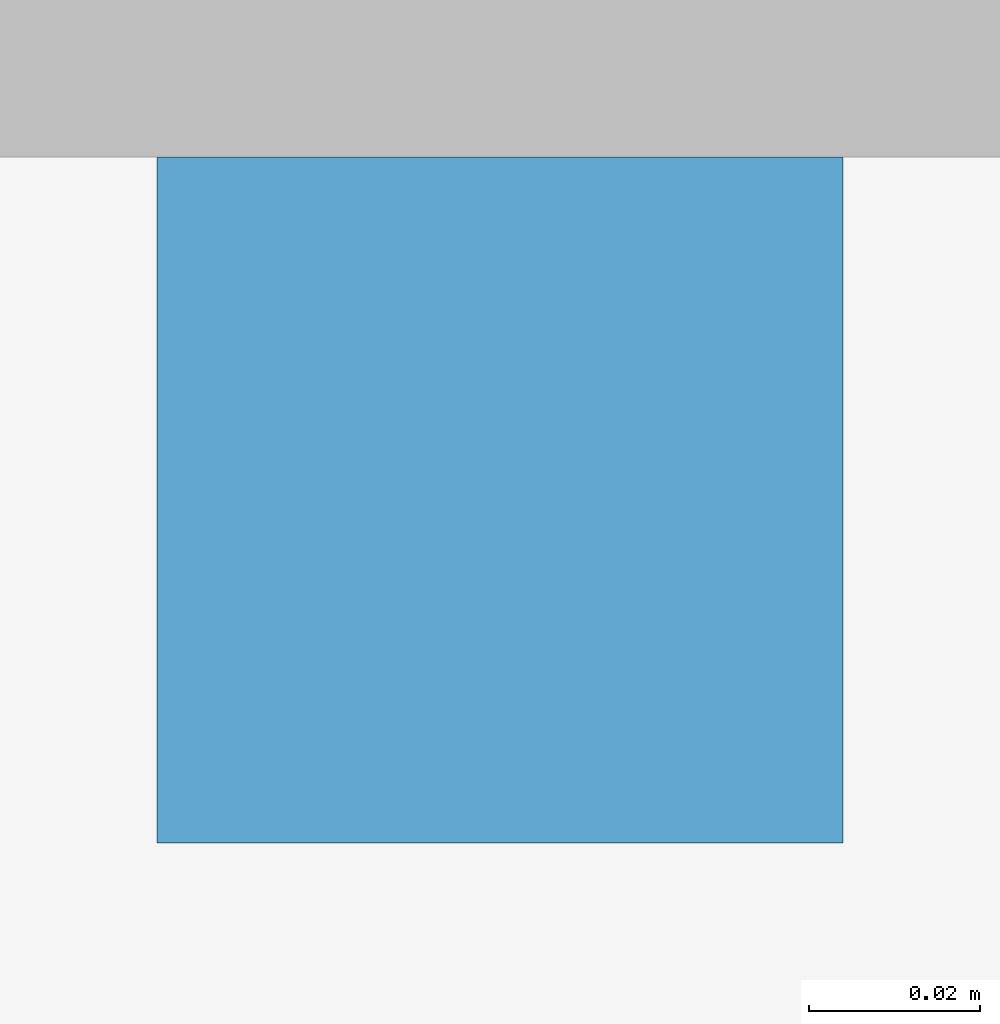
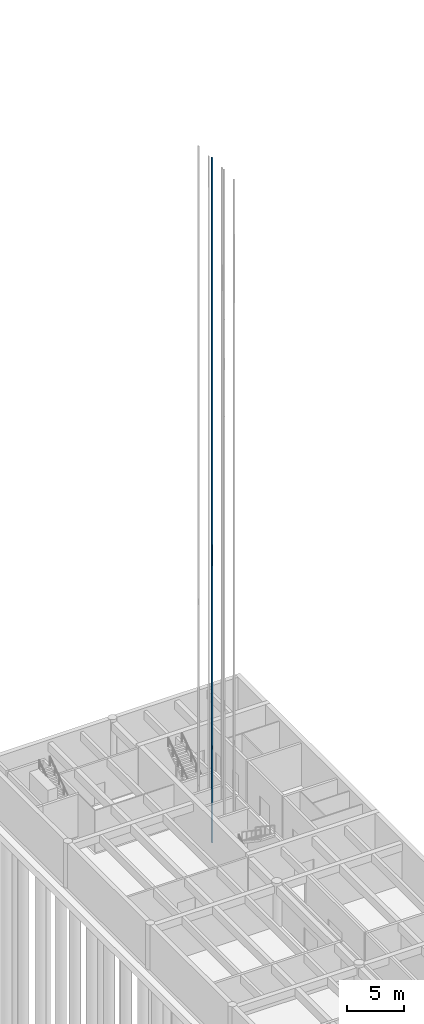
# One storey, part 13 of 24: 1 building element part.
"""IFC4 building model written with IfcOpenShell, lengths in metres."""

import ifcopenshell
import ifcopenshell.guid

model = None  # the IFC model being written
_history = None  # IfcOwnerHistory: only IFC2X3 demands one
_inside = {}  # id of a spatial element -> (the spatial element, [elements in it])
_under = {}  # id of a project, library or spatial element -> (it, [spatial elements below it])
_declared = {}  # id of a project -> (the project, [libraries it declares])
_typed = {}  # id of a type object -> (the type object, [elements of that type])
_made_of = {}  # id of a material, layer set ... -> (it, [elements and type objects made of it])


def new_model(schema):
    """Start an empty IFC model of exactly this schema.

    Asked for "IFC4X3", IfcOpenShell would pick the latest addendum, in which some entities
    have other attributes; the version numbers below select the first issue.
    IFC2X3 requires an IfcOwnerHistory on every rooted entity: one is made here for all.
    """
    global model, _history
    if schema == "IFC4X3":
        model = ifcopenshell.file(schema_version=(4, 3, 0, 0))
    else:
        model = ifcopenshell.file(schema=schema)
    _inside.clear()
    _under.clear()
    _declared.clear()
    _typed.clear()
    _made_of.clear()
    _history = None
    if model.schema == "IFC2X3":
        org = make("IfcOrganization", Name="unknown")
        user = make(
            "IfcPersonAndOrganization",
            ThePerson=make("IfcPerson", FamilyName="unknown"),
            TheOrganization=org,
        )
        app = make(
            "IfcApplication",
            ApplicationDeveloper=org,
            Version="unknown",
            ApplicationFullName="unknown",
            ApplicationIdentifier="unknown",
        )
        _history = make(
            "IfcOwnerHistory",
            OwningUser=user,
            OwningApplication=app,
            ChangeAction="ADDED",
            CreationDate=0,
        )
    return model


def make(cls, **values):
    """One entity of the class cls with the attributes given. An attribute that is None is left unset."""
    return model.create_entity(
        cls, **{name: value for name, value in values.items() if value is not None}
    )


def rooted(cls, **values):
    """An entity with a GlobalId (a new one), such as an element, a storey or a relation."""
    return make(cls, GlobalId=ifcopenshell.guid.new(), OwnerHistory=_history, **values)


def si_unit(unit_type, name, prefix=None):
    """IfcSIUnit, for example si_unit("LENGTHUNIT", "METRE", prefix="MILLI")."""
    return make("IfcSIUnit", UnitType=unit_type, Prefix=prefix, Name=name)


def assignment(units):
    """IfcUnitAssignment: the units of a project."""
    return None if units is None else make("IfcUnitAssignment", Units=units)


def point(xyz):
    """IfcCartesianPoint."""
    return None if xyz is None else make("IfcCartesianPoint", Coordinates=xyz)


def direction(xyz):
    """IfcDirection."""
    return None if xyz is None else make("IfcDirection", DirectionRatios=xyz)


def frame(location, z_axis=None, x_axis=None):
    """IfcAxis2Placement3D, a coordinate frame: its origin and axes. An axis left out is left unset."""
    return make(
        "IfcAxis2Placement3D",
        Location=point(location),
        Axis=direction(z_axis),
        RefDirection=direction(x_axis),
    )


def frame_2d(location, x_axis=None):
    """IfcAxis2Placement2D, a coordinate frame in the plane: its origin and x axis."""
    return make(
        "IfcAxis2Placement2D", Location=point(location), RefDirection=direction(x_axis)
    )


def origin():
    """The frame at (0, 0, 0) with its axes left unset."""
    return frame((0.0, 0.0, 0.0))


def origin_2d():
    """The frame at (0, 0) in the plane with its x axis left unset."""
    return frame_2d((0.0, 0.0))


def place(relative_to, where):
    """IfcLocalPlacement: puts the frame where relative to a parent placement (None: the world)."""
    return make(
        "IfcLocalPlacement", PlacementRelTo=relative_to, RelativePlacement=where
    )


def context(
    kind, dimensions, precision=None, world=None, true_north=None, identifier=None
):
    """IfcGeometricRepresentationContext, for example the 3D "Model" context."""
    return make(
        "IfcGeometricRepresentationContext",
        ContextIdentifier=identifier,
        ContextType=kind,
        CoordinateSpaceDimension=dimensions,
        Precision=precision,
        WorldCoordinateSystem=world,
        TrueNorth=true_north,
    )


def subcontext(parent, identifier, kind, view, scale=None):
    """IfcGeometricRepresentationSubContext, for example "Body" below "Model"."""
    return make(
        "IfcGeometricRepresentationSubContext",
        ContextIdentifier=identifier,
        ContextType=kind,
        ParentContext=parent,
        TargetScale=scale,
        TargetView=view,
    )


def project(units=None, contexts=None):
    """IfcProject with its units and contexts."""
    return rooted(
        "IfcProject",
        Name="project",
        RepresentationContexts=contexts,
        UnitsInContext=assignment(units),
    )


def spatial(cls, under=None, at=None, **own):
    """A site, building, storey or space (cls), placed at a placement, below another one or the project."""
    s = rooted(cls, ObjectPlacement=at, **own)
    if under is not None:
        _under.setdefault(under.id(), (under, []))[1].append(s)
    return s


def profile(cls, at=None, kind="AREA", **sizes):
    """A parametric profile (cls). Its sizes go by their IFC names, for example OverallWidth=200.0."""
    return make(cls, ProfileType=kind, Position=at, **sizes)


def rectangle(**sizes):
    """IfcRectangleProfileDef."""
    return profile("IfcRectangleProfileDef", **sizes)


def extrude(swept, where, along, depth):
    """IfcExtrudedAreaSolid: the profile swept, set in the frame where, extruded along a direction by depth."""
    return make(
        "IfcExtrudedAreaSolid",
        SweptArea=swept,
        Position=where,
        ExtrudedDirection=direction(along),
        Depth=depth,
    )


def shape(context_of_items, identifier, shape_type, items):
    """IfcShapeRepresentation: the items that make up one representation, for example the "Body"."""
    return make(
        "IfcShapeRepresentation",
        ContextOfItems=context_of_items,
        RepresentationIdentifier=identifier,
        RepresentationType=shape_type,
        Items=items,
    )


def made_of(thing, what):
    """Note that an element or type object is made of a material, layer set ...; save() writes the relation."""
    if what is not None:
        _made_of.setdefault(what.id(), (what, []))[1].append(thing)
    return thing


def element(
    cls,
    number,
    at=None,
    inside=None,
    cuts=None,
    type_object=None,
    material=None,
    context=None,
    identifier="Body",
    shape_type=None,
    held_by="IfcProductDefinitionShape",
    body=None,
    shapes=None,
    **own,
):
    """One element of the class cls, such as IfcWall. Its Tag is "e" and its number.

    at: its placement. inside: the storey or other place that contains it. cuts: it is an
    opening in that element (IfcRelVoidsElement). A single representation is given by context,
    identifier, shape_type and body (its items); several are given by shapes. held_by: the class
    of the entity that holds the representations. save() writes the other relations.
    """
    e = rooted(cls, Tag="e%d" % number, ObjectPlacement=at, **own)
    if body is not None:
        shapes = [shape(context, identifier, shape_type, body)]
    if shapes is not None:
        e.Representation = make(held_by, Representations=shapes)
    if inside is not None:
        _inside.setdefault(inside.id(), (inside, []))[1].append(e)
    if cuts is not None:
        rooted(
            "IfcRelVoidsElement", RelatingBuildingElement=cuts, RelatedOpeningElement=e
        )
    if type_object is not None:
        _typed.setdefault(type_object.id(), (type_object, []))[1].append(e)
    return made_of(e, material)


def aggregate(whole, parts):
    """IfcRelAggregates: a whole, such as a stair, and the parts it consists of."""
    return rooted("IfcRelAggregates", RelatingObject=whole, RelatedObjects=parts)


def save(model, path):
    """Write the relations noted so far, then the file.

    IfcRelAggregates (storeys below a building ...), IfcRelContainedInSpatialStructure (elements
    in a storey), IfcRelDefinesByType, IfcRelAssociatesMaterial and IfcRelDeclares: one each for
    every whole, place, type object, material and project.
    """
    for whole, parts in _under.values():
        aggregate(whole, parts)
    for where, things in _inside.values():
        rooted(
            "IfcRelContainedInSpatialStructure",
            RelatedElements=things,
            RelatingStructure=where,
        )
    for kind, things in _typed.values():
        rooted("IfcRelDefinesByType", RelatedObjects=things, RelatingType=kind)
    for what, things in _made_of.values():
        rooted("IfcRelAssociatesMaterial", RelatedObjects=things, RelatingMaterial=what)
    for by, libraries in _declared.values():
        rooted("IfcRelDeclares", RelatingContext=by, RelatedDefinitions=libraries)
    model.write(path)


model = new_model("IFC4")

# Units and contexts
model_context = context("Model", 3, precision=1e-05, world=origin(), true_north=direction((0.0, 1.0)))
body_context = subcontext(model_context, "Body", "Model", "MODEL_VIEW")
ifc_project = project(units=[si_unit("LENGTHUNIT", "METRE"), si_unit("AREAUNIT", "SQUARE_METRE"), si_unit("VOLUMEUNIT", "CUBIC_METRE"), si_unit("PLANEANGLEUNIT", "RADIAN"), si_unit("MASSUNIT", "GRAM", prefix="KILO")], contexts=[model_context])

# Site, building, storey
site_placement = place(None, origin())
site = spatial("IfcSite", under=ifc_project, at=site_placement, CompositionType="ELEMENT")
building_placement = place(site_placement, origin())
building = spatial("IfcBuilding", under=site, at=building_placement, Name="Fogon Plaza Fire Station and Headquarters Tower", CompositionType="ELEMENT")
storey_placement = place(building_placement, frame((0.0, 0.0, -4.800048828125)))
storey = spatial("IfcBuildingStorey", under=building, at=storey_placement, Name="B1", CompositionType="ELEMENT", Elevation=-4.800048828125)

# Building element part
building_element_part_placement = place(storey_placement, frame((15.074951171875, 44.0849609375, -1.19970703125), z_axis=(0.0, 0.0, 1.0), x_axis=(1.0, 0.0, 0.0)))
element("IfcBuildingElementPart", 1, at=building_element_part_placement, inside=storey, Name="Guide rail LP2 2", ObjectType="Guide rail", PredefinedType="USERDEFINED", context=body_context, shape_type="SweptSolid", body=[
    extrude(rectangle(XDim=0.080078125, YDim=0.080078125, at=origin_2d()), origin(), (0.0, 0.0, 1.0), 73.199951171875),
])

save(model, "model.ifc")
